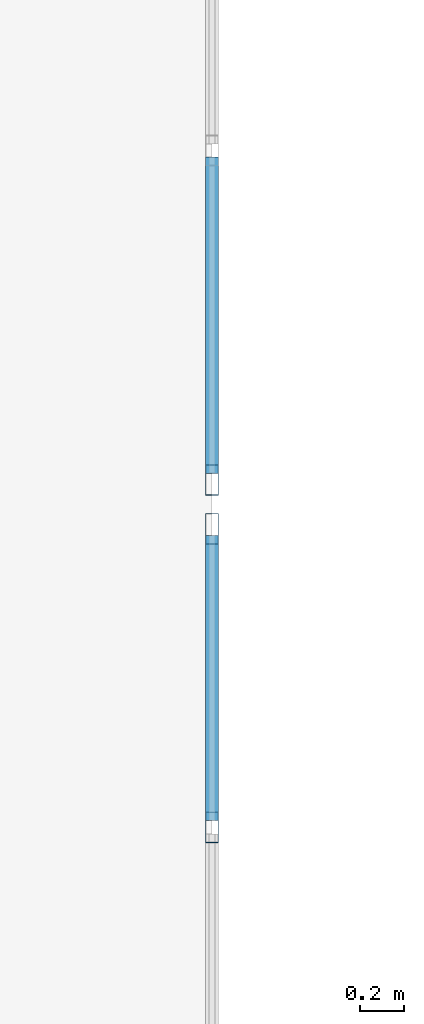
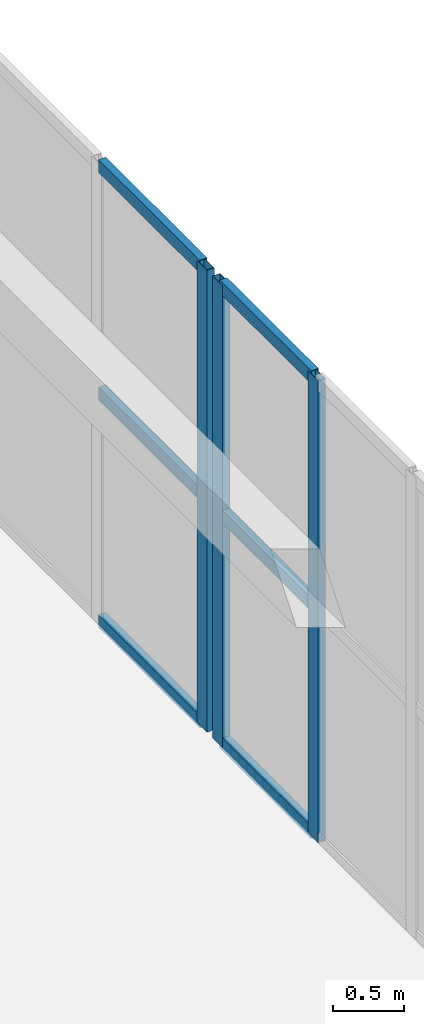
# One storey, part 44 of 140: 9 members, 2 elements without a shape of their own.
"""IFC4 building model written with IfcOpenShell, lengths in metres."""

from ifc_helpers import new_model, si_unit, direction, frame, origin, origin_2d, place, context, subcontext, project, spatial, hollow_rectangle, extrude, material, layer, layer_set, material_profile, profile_set, type_object, element, aggregate, save


model = new_model("IFC4")

# Units and contexts
model_context = context("Model", 3, precision=1e-05, world=origin(), true_north=direction((0.0, 1.0)))
body_context = subcontext(model_context, "Body", "Model", "MODEL_VIEW")
ifc_project = project(units=[si_unit("LENGTHUNIT", "METRE"), si_unit("AREAUNIT", "SQUARE_METRE"), si_unit("VOLUMEUNIT", "CUBIC_METRE"), si_unit("PLANEANGLEUNIT", "RADIAN"), si_unit("MASSUNIT", "GRAM", prefix="KILO")], contexts=[model_context])

# Site, building, storey
site_placement = place(None, origin())
site = spatial("IfcSite", under=ifc_project, at=site_placement, CompositionType="ELEMENT")
building_placement = place(site_placement, origin())
building = spatial("IfcBuilding", under=site, at=building_placement, Name="Trelvath General Hospital", CompositionType="ELEMENT")
storey_placement = place(building_placement, frame((0.0, 0.0, 16.199951171875)))
storey = spatial("IfcBuildingStorey", under=building, at=storey_placement, Name="L04", CompositionType="ELEMENT", Elevation=16.199951171875)

# Curtain wall, members
ifc_material_1 = material(Name="Anodised aluminium and low-E glass", Category="aluminium")
ifc_layer_1 = layer(ifc_material_1, 0.139892578125)
ifc_layer_set_1 = layer_set([ifc_layer_1], Name="Anodised aluminium and low-E glass")
curtain_wall_type_1 = type_object("IfcCurtainWallType", Name="CW CrystalCube 824 396 14", PredefinedType="USERDEFINED", material=ifc_layer_set_1)
curtain_wall_1_placement = place(storey_placement, origin())
curtain_wall_1 = element("IfcCurtainWall", 1, at=curtain_wall_1_placement, inside=storey, type_object=curtain_wall_type_1, Name="Crystal Cube Curtain Wall CUBE-E-T1 E2 L04", ObjectType="Unitised Glazed Curtain Wall", PredefinedType="USERDEFINED")
ifc_material_2 = material(Name="Anodised aluminium", Category="aluminium")
ifc_material_profile_1 = material_profile(ifc_material_2, hollow_rectangle(XDim=0.06005859375, YDim=0.139892578125, WallThickness=0.00390625, at=origin_2d()), Name="RHS60x140x4")
ifc_profile_set_1 = profile_set([ifc_material_profile_1], Name="Anodised aluminium")
member_type_1 = type_object("IfcMemberType", Name="CurtainMullion 60x140", PredefinedType="MULLION", material=ifc_profile_set_1)
member_1_placement = place(storey_placement, frame((114.800048828125, 50.2900390625, 0.0), z_axis=(0.0, 0.0, 1.0), x_axis=(1.0, 0.0, 0.0)))
member_1 = element("IfcMember", 2, at=member_1_placement, type_object=member_type_1, Name="CW-290 mullion 1", PredefinedType="MULLION", context=body_context, shape_type="SweptSolid", body=[
    extrude(hollow_rectangle(XDim=0.06005859375, YDim=0.139892578125, WallThickness=0.00390625, at=origin_2d()), origin(), (0.0, 0.0, 1.0), 3.9599609375),
])
member_2_placement = place(storey_placement, frame((114.800048828125, 48.94677734375, 0.0), z_axis=(0.0, 0.0, 1.0), x_axis=(1.0, 0.0, 0.0)))
member_2 = element("IfcMember", 3, at=member_2_placement, type_object=member_type_1, Name="CW-290 mullion 2", PredefinedType="MULLION", context=body_context, shape_type="SweptSolid", body=[
    extrude(hollow_rectangle(XDim=0.06005859375, YDim=0.139892578125, WallThickness=0.00390625, at=origin_2d()), origin(), (0.0, 0.0, 1.0), 3.9599609375),
])

# Curtain wall, member
ifc_material_3 = material(Name="Anodised aluminium and low-E glass", Category="aluminium")
ifc_layer_2 = layer(ifc_material_3, 0.139892578125)
ifc_layer_set_2 = layer_set([ifc_layer_2], Name="Anodised aluminium and low-E glass")
curtain_wall_type_2 = type_object("IfcCurtainWallType", Name="CW CrystalCube 1664 396 14", PredefinedType="USERDEFINED", material=ifc_layer_set_2)
curtain_wall_2_placement = place(storey_placement, origin())
curtain_wall_2 = element("IfcCurtainWall", 4, at=curtain_wall_2_placement, inside=storey, type_object=curtain_wall_type_2, Name="Crystal Cube Curtain Wall CUBE-E-T1 E3 L04", ObjectType="Unitised Glazed Curtain Wall", PredefinedType="USERDEFINED")
member_3_placement = place(storey_placement, frame((114.800048828125, 50.510009765625, 0.0), z_axis=(0.0, 0.0, 1.0), x_axis=(1.0, 0.0, 0.0)))
member_3 = element("IfcMember", 5, at=member_3_placement, type_object=member_type_1, Name="CW-291 mullion 12", PredefinedType="MULLION", context=body_context, shape_type="SweptSolid", body=[
    extrude(hollow_rectangle(XDim=0.06005859375, YDim=0.139892578125, WallThickness=0.00390625, at=origin_2d()), origin(), (0.0, 0.0, 1.0), 3.9599609375),
])

# Member
ifc_material_4 = material(Name="Anodised aluminium", Category="aluminium")
ifc_material_profile_2 = material_profile(ifc_material_4, hollow_rectangle(XDim=0.06005859375, YDim=0.110107421875, WallThickness=0.00390625, at=origin_2d()), Name="RHS60x110x4")
ifc_profile_set_2 = profile_set([ifc_material_profile_2], Name="Anodised aluminium")
member_type_2 = type_object("IfcMemberType", Name="CurtainTransom 60x110", PredefinedType="USERDEFINED", material=ifc_profile_set_2)
member_4_placement = place(storey_placement, frame((114.800048828125, 50.260009765625, 0.030029296875), z_axis=(0.0, -1.0, 0.0), x_axis=(1.0, 0.0, 0.0)))
member_4 = element("IfcMember", 6, at=member_4_placement, type_object=member_type_2, Name="CW-290 transom 1.1", ObjectType="TRANSOM", PredefinedType="USERDEFINED", context=body_context, shape_type="SweptSolid", body=[
    extrude(hollow_rectangle(XDim=0.06005859375, YDim=0.110107421875, WallThickness=0.00390625, at=origin_2d()), origin(), (0.0, 0.0, 1.0), 1.283447265625),
])

member_5_placement = place(storey_placement, frame((114.800048828125, 50.260009765625, 1.97998046875), z_axis=(0.0, -1.0, 0.0), x_axis=(1.0, 0.0, 0.0)))
member_5 = element("IfcMember", 7, at=member_5_placement, type_object=member_type_2, Name="CW-290 transom 1.2", ObjectType="TRANSOM", PredefinedType="USERDEFINED", context=body_context, shape_type="SweptSolid", body=[
    extrude(hollow_rectangle(XDim=0.06005859375, YDim=0.110107421875, WallThickness=0.00390625, at=origin_2d()), origin(), (0.0, 0.0, 1.0), 1.283447265625),
])

member_6_placement = place(storey_placement, frame((114.800048828125, 50.260009765625, 3.929931640625), z_axis=(0.0, -1.0, 0.0), x_axis=(1.0, 0.0, 0.0)))
member_6 = element("IfcMember", 8, at=member_6_placement, type_object=member_type_2, Name="CW-290 transom 1.3", ObjectType="TRANSOM", PredefinedType="USERDEFINED", context=body_context, shape_type="SweptSolid", body=[
    extrude(hollow_rectangle(XDim=0.06005859375, YDim=0.110107421875, WallThickness=0.00390625, at=origin_2d()), origin(), (0.0, 0.0, 1.0), 1.283447265625),
])

aggregate(curtain_wall_1, [member_1, member_2, member_4, member_5, member_6])

member_7_placement = place(storey_placement, frame((114.800048828125, 51.962646484375, 0.030029296875), z_axis=(0.0, -1.0, 0.0), x_axis=(1.0, 0.0, 0.0)))
member_7 = element("IfcMember", 9, at=member_7_placement, type_object=member_type_2, Name="CW-291 transom 11.1", ObjectType="TRANSOM", PredefinedType="USERDEFINED", context=body_context, shape_type="SweptSolid", body=[
    extrude(hollow_rectangle(XDim=0.06005859375, YDim=0.110107421875, WallThickness=0.00390625, at=origin_2d()), origin(), (0.0, 0.0, 1.0), 1.422607421875),
])

member_8_placement = place(storey_placement, frame((114.800048828125, 51.962646484375, 1.97998046875), z_axis=(0.0, -1.0, 0.0), x_axis=(1.0, 0.0, 0.0)))
member_8 = element("IfcMember", 10, at=member_8_placement, type_object=member_type_2, Name="CW-291 transom 11.2", ObjectType="TRANSOM", PredefinedType="USERDEFINED", context=body_context, shape_type="SweptSolid", body=[
    extrude(hollow_rectangle(XDim=0.06005859375, YDim=0.110107421875, WallThickness=0.00390625, at=origin_2d()), origin(), (0.0, 0.0, 1.0), 1.422607421875),
])

member_9_placement = place(storey_placement, frame((114.800048828125, 51.962646484375, 3.929931640625), z_axis=(0.0, -1.0, 0.0), x_axis=(1.0, 0.0, 0.0)))
member_9 = element("IfcMember", 11, at=member_9_placement, type_object=member_type_2, Name="CW-291 transom 11.3", ObjectType="TRANSOM", PredefinedType="USERDEFINED", context=body_context, shape_type="SweptSolid", body=[
    extrude(hollow_rectangle(XDim=0.06005859375, YDim=0.110107421875, WallThickness=0.00390625, at=origin_2d()), origin(), (0.0, 0.0, 1.0), 1.422607421875),
])

aggregate(curtain_wall_2, [member_3, member_7, member_8, member_9])

save(model, "model.ifc")
